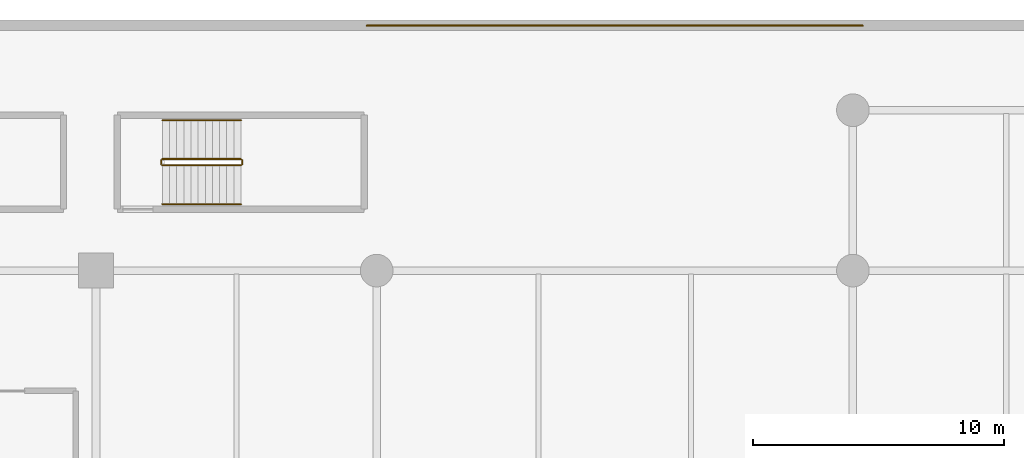
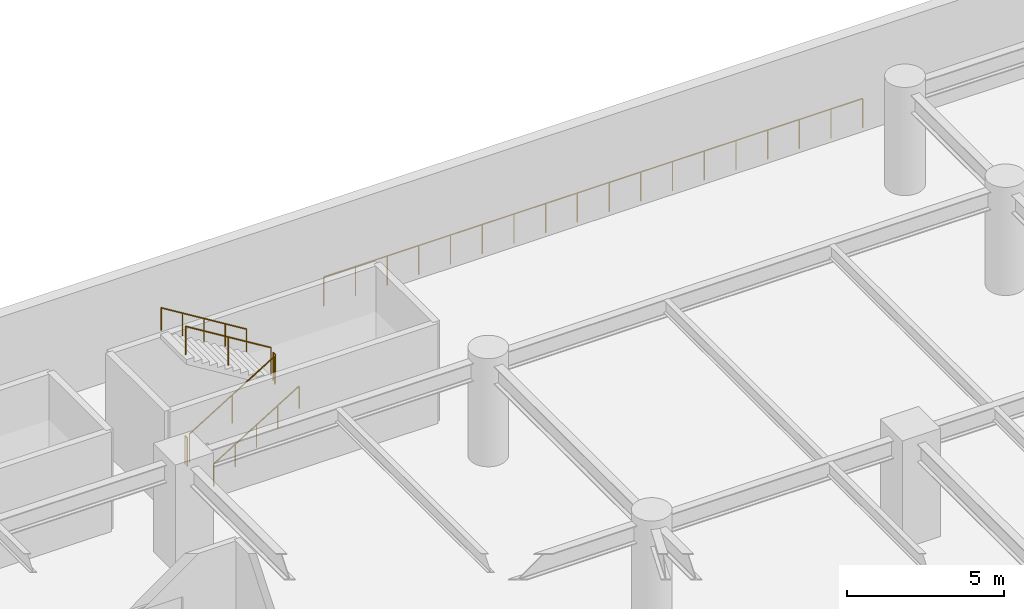
# One storey, part 22 of 22: 7 railings.
"""IFC4 building model written with IfcOpenShell, lengths in metres."""

from ifc_helpers import new_model, si_unit, direction, frame, origin, origin_2d, place, context, subcontext, project, spatial, circle, extrude, material, type_object, element, save


model = new_model("IFC4")

# Units and contexts
model_context = context("Model", 3, precision=1e-05, world=origin(), true_north=direction((0.0, 1.0)))
body_context = subcontext(model_context, "Body", "Model", "MODEL_VIEW")
ifc_project = project(units=[si_unit("LENGTHUNIT", "METRE"), si_unit("AREAUNIT", "SQUARE_METRE"), si_unit("VOLUMEUNIT", "CUBIC_METRE"), si_unit("PLANEANGLEUNIT", "RADIAN"), si_unit("MASSUNIT", "GRAM", prefix="KILO")], contexts=[model_context])

# Site, building, storey
site_placement = place(None, origin())
site = spatial("IfcSite", under=ifc_project, at=site_placement, CompositionType="ELEMENT")
building_placement = place(site_placement, origin())
building = spatial("IfcBuilding", under=site, at=building_placement, Name="Narakoshi Arena Tower", CompositionType="ELEMENT")
storey_placement = place(building_placement, frame((0.0, 0.0, 13.199951171875)))
storey = spatial("IfcBuildingStorey", under=building, at=storey_placement, Name="L03", CompositionType="ELEMENT", Elevation=13.199951171875)

# Railings
ifc_material_1 = material(Name="Clear low-iron laminated structural glass", Category="glass")
railing_type_1 = type_object("IfcRailingType", Name="RL-BAL-1100", PredefinedType="BALUSTRADE", material=ifc_material_1)
railing_1_placement = place(storey_placement, frame((42.64990234375, 90.199951171875, 0.175048828125)))
element("IfcRailing", 1, at=railing_1_placement, inside=storey, type_object=railing_type_1, Name="L03 AST8 stair guard 1", PredefinedType="BALUSTRADE", context=body_context, shape_type="SweptSolid", body=[
    extrude(circle(Radius=0.02392578125, at=origin_2d()), frame((0.0, 0.0, 1.09619140625), z_axis=(0.852166034122, 0.0, 0.523271488128), x_axis=(0.0, 1.0, 0.0)), (0.0, 0.0, 1.0), 3.678955078125),
    extrude(circle(Radius=0.02099609375, at=origin_2d()), origin(), (0.0, 0.0, 1.0), 1.072021484375),
    extrude(circle(Radius=0.02099609375, at=origin_2d()), frame((1.5673828125, 0.0, 0.96240234375)), (0.0, 0.0, 1.0), 1.072021484375),
    extrude(circle(Radius=0.02099609375, at=origin_2d()), frame((3.135009765625, 0.0, 1.925048828125)), (0.0, 0.0, 1.0), 1.072021484375),
])
railing_2_placement = place(storey_placement, frame((45.8349609375, 90.25, 2.10009765625)))
element("IfcRailing", 2, at=railing_2_placement, inside=storey, type_object=railing_type_1, Name="L03 AST8 stair guard 2", PredefinedType="BALUSTRADE", context=body_context, shape_type="SweptSolid", body=[
    extrude(circle(Radius=0.02392578125, at=origin_2d()), frame((0.0, 0.0, 1.09619140625), z_axis=(0.0, 1.0, 0.0), x_axis=(-1.0, 0.0, 0.0)), (0.0, 0.0, 1.0), 0.14990234375),
    extrude(circle(Radius=0.02099609375, at=origin_2d()), origin(), (0.0, 0.0, 1.0), 1.072021484375),
    extrude(circle(Radius=0.02099609375, at=origin_2d()), frame((0.0, 0.14990234375, 0.0)), (0.0, 0.0, 1.0), 1.072021484375),
])
railing_3_placement = place(storey_placement, frame((45.784912109375, 90.449951171875, 2.275146484375)))
element("IfcRailing", 3, at=railing_3_placement, inside=storey, type_object=railing_type_1, Name="L03 AST8 stair guard 3", PredefinedType="BALUSTRADE", context=body_context, shape_type="SweptSolid", body=[
    extrude(circle(Radius=0.02392578125, at=origin_2d()), frame((0.0, 0.0, 1.09619140625), z_axis=(-0.852195625947, 0.0, 0.523223293744), x_axis=(0.0, -1.0, 0.0)), (0.0, 0.0, 1.0), 3.6787109375),
    extrude(circle(Radius=0.02099609375, at=origin_2d()), origin(), (0.0, 0.0, 1.0), 1.072021484375),
    extrude(circle(Radius=0.02099609375, at=origin_2d()), frame((-1.5673828125, 0.0, 0.96240234375)), (0.0, 0.0, 1.0), 1.072021484375),
    extrude(circle(Radius=0.02099609375, at=origin_2d()), frame((-3.135009765625, 0.0, 1.9248046875)), (0.0, 0.0, 1.0), 1.072021484375),
])
railing_4_placement = place(storey_placement, frame((42.60009765625, 90.25, 0.0)))
element("IfcRailing", 4, at=railing_4_placement, inside=storey, type_object=railing_type_1, Name="L03 AST8 stair guard 4", PredefinedType="BALUSTRADE", context=body_context, shape_type="SweptSolid", body=[
    extrude(circle(Radius=0.02392578125, at=origin_2d()), frame((0.0, 0.0, 1.09619140625), z_axis=(0.0, 1.0, 0.0), x_axis=(-1.0, 0.0, 0.0)), (0.0, 0.0, 1.0), 0.14990234375),
    extrude(circle(Radius=0.02099609375, at=origin_2d()), origin(), (0.0, 0.0, 1.0), 1.072021484375),
    extrude(circle(Radius=0.02099609375, at=origin_2d()), frame((0.0, 0.14990234375, 0.0)), (0.0, 0.0, 1.0), 1.072021484375),
])
ifc_material_2 = material(Name="Brushed bronze stainless steel", Category="steel")
railing_type_2 = type_object("IfcRailingType", Name="RL-GRD-1150", PredefinedType="GUARDRAIL", material=ifc_material_2)
railing_5_placement = place(storey_placement, frame((50.800048828125, 95.780029296875, 0.0)))
element("IfcRailing", 5, at=railing_5_placement, inside=storey, type_object=railing_type_2, Name="L03 Concourse Portal Sill Guardrail PN", PredefinedType="GUARDRAIL", context=body_context, shape_type="SweptSolid", body=[
    extrude(circle(Radius=0.02392578125, at=origin_2d()), frame((0.0, 0.0, 1.1259765625), z_axis=(1.0, 0.0, 0.0), x_axis=(0.0, 1.0, 0.0)), (0.0, 0.0, 1.0), 19.800048828125),
    extrude(circle(Radius=0.02099609375, at=origin_2d()), origin(), (0.0, 0.0, 1.0), 1.101806640625),
    extrude(circle(Radius=0.02099609375, at=origin_2d()), frame((1.164794921875, 0.0, 0.0)), (0.0, 0.0, 1.0), 1.101806640625),
    extrude(circle(Radius=0.02099609375, at=origin_2d()), frame((2.329345703125, 0.0, 0.0)), (0.0, 0.0, 1.0), 1.101806640625),
    extrude(circle(Radius=0.02099609375, at=origin_2d()), frame((3.494140625, 0.0, 0.0)), (0.0, 0.0, 1.0), 1.101806640625),
    extrude(circle(Radius=0.02099609375, at=origin_2d()), frame((4.658935546875, 0.0, 0.0)), (0.0, 0.0, 1.0), 1.101806640625),
    extrude(circle(Radius=0.02099609375, at=origin_2d()), frame((5.823486328125, 0.0, 0.0)), (0.0, 0.0, 1.0), 1.101806640625),
    extrude(circle(Radius=0.02099609375, at=origin_2d()), frame((6.98828125, 0.0, 0.0)), (0.0, 0.0, 1.0), 1.101806640625),
    extrude(circle(Radius=0.02099609375, at=origin_2d()), frame((8.153076171875, 0.0, 0.0)), (0.0, 0.0, 1.0), 1.101806640625),
    extrude(circle(Radius=0.02099609375, at=origin_2d()), frame((9.317626953125, 0.0, 0.0)), (0.0, 0.0, 1.0), 1.101806640625),
    extrude(circle(Radius=0.02099609375, at=origin_2d()), frame((10.482421875, 0.0, 0.0)), (0.0, 0.0, 1.0), 1.101806640625),
    extrude(circle(Radius=0.02099609375, at=origin_2d()), frame((11.64697265625, 0.0, 0.0)), (0.0, 0.0, 1.0), 1.101806640625),
    extrude(circle(Radius=0.02099609375, at=origin_2d()), frame((12.811767578125, 0.0, 0.0)), (0.0, 0.0, 1.0), 1.101806640625),
    extrude(circle(Radius=0.02099609375, at=origin_2d()), frame((13.9765625, 0.0, 0.0)), (0.0, 0.0, 1.0), 1.101806640625),
    extrude(circle(Radius=0.02099609375, at=origin_2d()), frame((15.14111328125, 0.0, 0.0)), (0.0, 0.0, 1.0), 1.101806640625),
    extrude(circle(Radius=0.02099609375, at=origin_2d()), frame((16.305908203125, 0.0, 0.0)), (0.0, 0.0, 1.0), 1.101806640625),
    extrude(circle(Radius=0.02099609375, at=origin_2d()), frame((17.470703125, 0.0, 0.0)), (0.0, 0.0, 1.0), 1.101806640625),
    extrude(circle(Radius=0.02099609375, at=origin_2d()), frame((18.63525390625, 0.0, 0.0)), (0.0, 0.0, 1.0), 1.101806640625),
    extrude(circle(Radius=0.02099609375, at=origin_2d()), frame((19.800048828125, 0.0, 0.0)), (0.0, 0.0, 1.0), 1.101806640625),
])
railing_type_3 = type_object("IfcRailingType", Name="RL-HND-900", PredefinedType="HANDRAIL", material=ifc_material_2)
railing_6_placement = place(storey_placement, frame((42.64990234375, 88.64990234375, 0.175048828125)))
element("IfcRailing", 6, at=railing_6_placement, inside=storey, type_object=railing_type_3, Name="L03 AST8 stair handrail 1", PredefinedType="HANDRAIL", context=body_context, shape_type="SweptSolid", body=[
    extrude(circle(Radius=0.02392578125, at=origin_2d()), frame((0.0, 0.0, 0.8759765625), z_axis=(0.852166034122, 0.0, 0.523271488128), x_axis=(0.0, 1.0, 0.0)), (0.0, 0.0, 1.0), 3.678955078125),
    extrude(circle(Radius=0.02099609375, at=origin_2d()), origin(), (0.0, 0.0, 1.0), 0.851806640625),
    extrude(circle(Radius=0.02099609375, at=origin_2d()), frame((0.78369140625, 0.0, 0.481201171875)), (0.0, 0.0, 1.0), 0.851806640625),
    extrude(circle(Radius=0.02099609375, at=origin_2d()), frame((1.5673828125, 0.0, 0.96240234375)), (0.0, 0.0, 1.0), 0.851806640625),
    extrude(circle(Radius=0.02099609375, at=origin_2d()), frame((2.351318359375, 0.0, 1.44384765625)), (0.0, 0.0, 1.0), 0.851806640625),
    extrude(circle(Radius=0.02099609375, at=origin_2d()), frame((3.135009765625, 0.0, 1.925048828125)), (0.0, 0.0, 1.0), 0.851806640625),
])
railing_7_placement = place(storey_placement, frame((45.784912109375, 92.0, 2.275146484375)))
element("IfcRailing", 7, at=railing_7_placement, inside=storey, type_object=railing_type_3, Name="L03 AST8 stair handrail 2", PredefinedType="HANDRAIL", context=body_context, shape_type="SweptSolid", body=[
    extrude(circle(Radius=0.02392578125, at=origin_2d()), frame((0.0, 0.0, 0.8759765625), z_axis=(-0.852195625947, 0.0, 0.523223293744), x_axis=(0.0, -1.0, 0.0)), (0.0, 0.0, 1.0), 3.6787109375),
    extrude(circle(Radius=0.02099609375, at=origin_2d()), origin(), (0.0, 0.0, 1.0), 0.851806640625),
    extrude(circle(Radius=0.02099609375, at=origin_2d()), frame((-0.78369140625, 0.0, 0.481201171875)), (0.0, 0.0, 1.0), 0.851806640625),
    extrude(circle(Radius=0.02099609375, at=origin_2d()), frame((-1.5673828125, 0.0, 0.96240234375)), (0.0, 0.0, 1.0), 0.851806640625),
    extrude(circle(Radius=0.02099609375, at=origin_2d()), frame((-2.351318359375, 0.0, 1.443603515625)), (0.0, 0.0, 1.0), 0.851806640625),
    extrude(circle(Radius=0.02099609375, at=origin_2d()), frame((-3.135009765625, 0.0, 1.9248046875)), (0.0, 0.0, 1.0), 0.851806640625),
])

save(model, "model.ifc")
